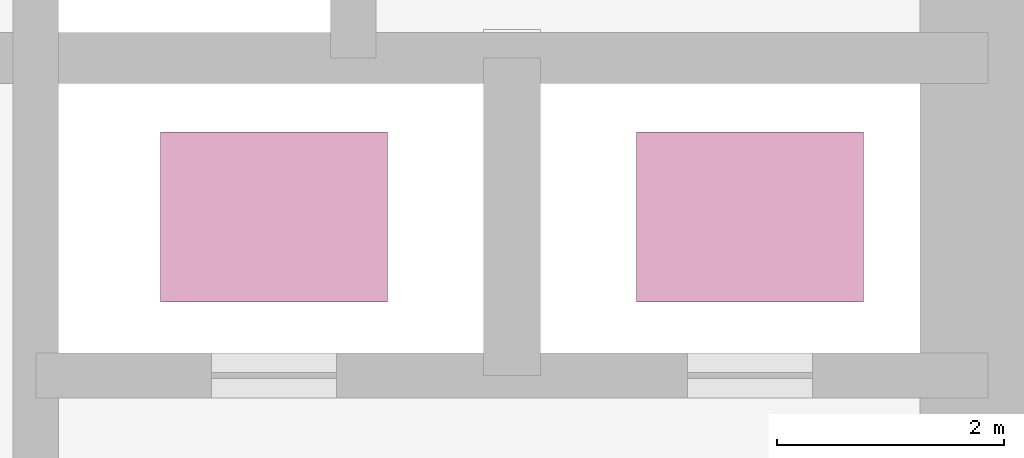
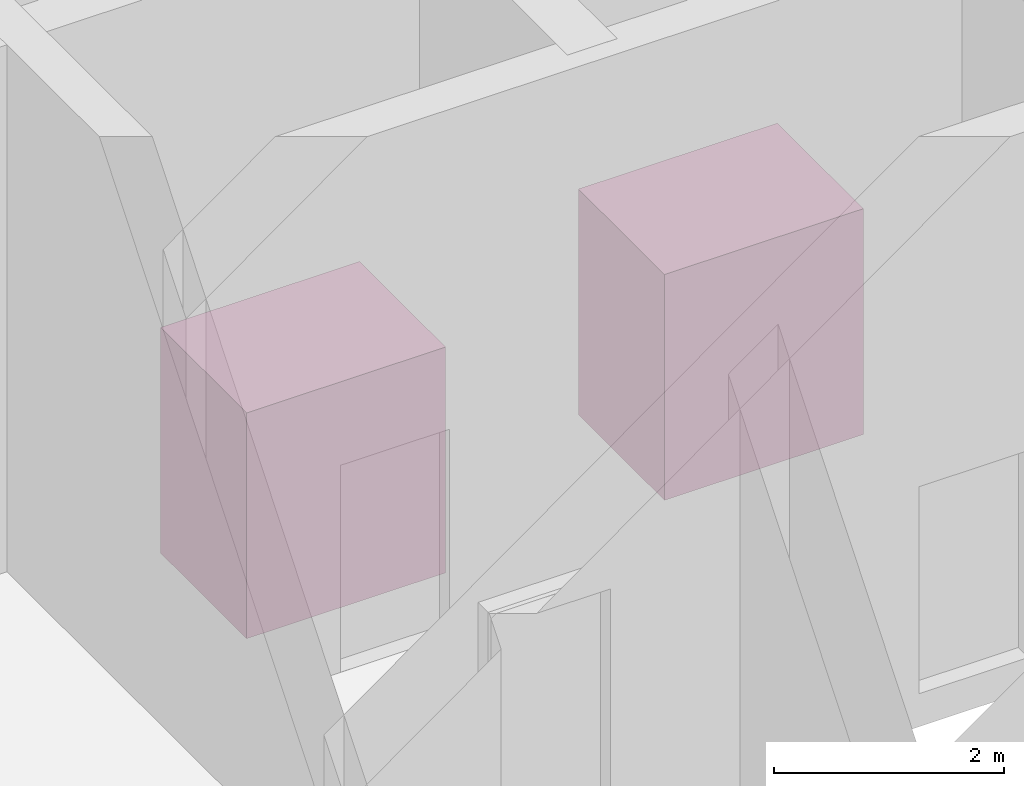
# One storey, part 13 of 13: 2 transport elements.
"""IFC4 building model written with IfcOpenShell, lengths in metres."""

from ifc_helpers import new_model, si_unit, direction, frame, origin, origin_2d, place, context, subcontext, project, spatial, rectangle, extrude, material, type_object, element, save


model = new_model("IFC4")

# Units and contexts
model_context = context("Model", 3, precision=1e-05, world=origin(), true_north=direction((0.0, 1.0)))
body_context = subcontext(model_context, "Body", "Model", "MODEL_VIEW")
ifc_project = project(units=[si_unit("LENGTHUNIT", "METRE"), si_unit("AREAUNIT", "SQUARE_METRE"), si_unit("VOLUMEUNIT", "CUBIC_METRE"), si_unit("PLANEANGLEUNIT", "RADIAN"), si_unit("MASSUNIT", "GRAM", prefix="KILO")], contexts=[model_context])

# Site, building, storey
site_placement = place(None, origin())
site = spatial("IfcSite", under=ifc_project, at=site_placement, CompositionType="ELEMENT")
building_placement = place(site_placement, origin())
building = spatial("IfcBuilding", under=site, at=building_placement, Name="Dunama Terrace Hotel", CompositionType="ELEMENT")
storey_placement = place(building_placement, frame((0.0, 0.0, 147.60009765625)))
storey = spatial("IfcBuildingStorey", under=building, at=storey_placement, Name="L38", CompositionType="ELEMENT", Elevation=147.60009765625)

# Transport elements
ifc_material = material(Name="Passenger lift car")
transport_element_type = type_object("IfcTransportElementType", Name="Passenger lift 1600 kg", PredefinedType="ELEVATOR", material=ifc_material)
transport_element_1_placement = place(storey_placement, origin())
element("IfcTransportElement", 1, at=transport_element_1_placement, inside=storey, type_object=transport_element_type, Name="Lift PD1, type PL", PredefinedType="ELEVATOR", context=body_context, shape_type="SweptSolid", body=[
    extrude(rectangle(XDim=2.0, YDim=1.5, at=origin_2d()), frame((35.699951171875, 32.199951171875, 0.0), z_axis=(0.0, 0.0, 1.0), x_axis=(1.0, 0.0, 0.0)), (0.0, 0.0, 1.0), 2.39990234375),
])
transport_element_2_placement = place(storey_placement, origin())
element("IfcTransportElement", 2, at=transport_element_2_placement, inside=storey, type_object=transport_element_type, Name="Lift PD2, type PL", PredefinedType="ELEVATOR", context=body_context, shape_type="SweptSolid", body=[
    extrude(rectangle(XDim=2.0, YDim=1.5, at=origin_2d()), frame((39.89990234375, 32.199951171875, 0.0), z_axis=(0.0, 0.0, 1.0), x_axis=(1.0, 0.0, 0.0)), (0.0, 0.0, 1.0), 2.39990234375),
])

save(model, "model.ifc")
